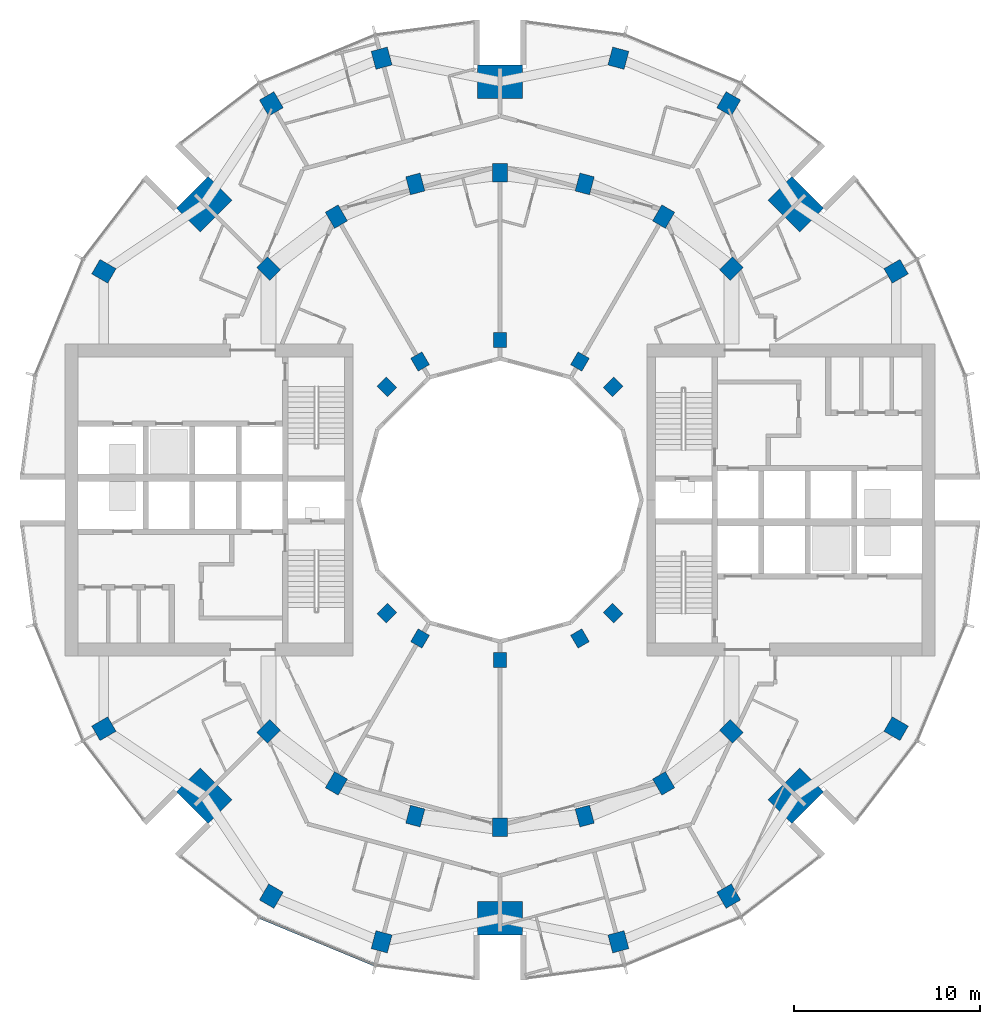
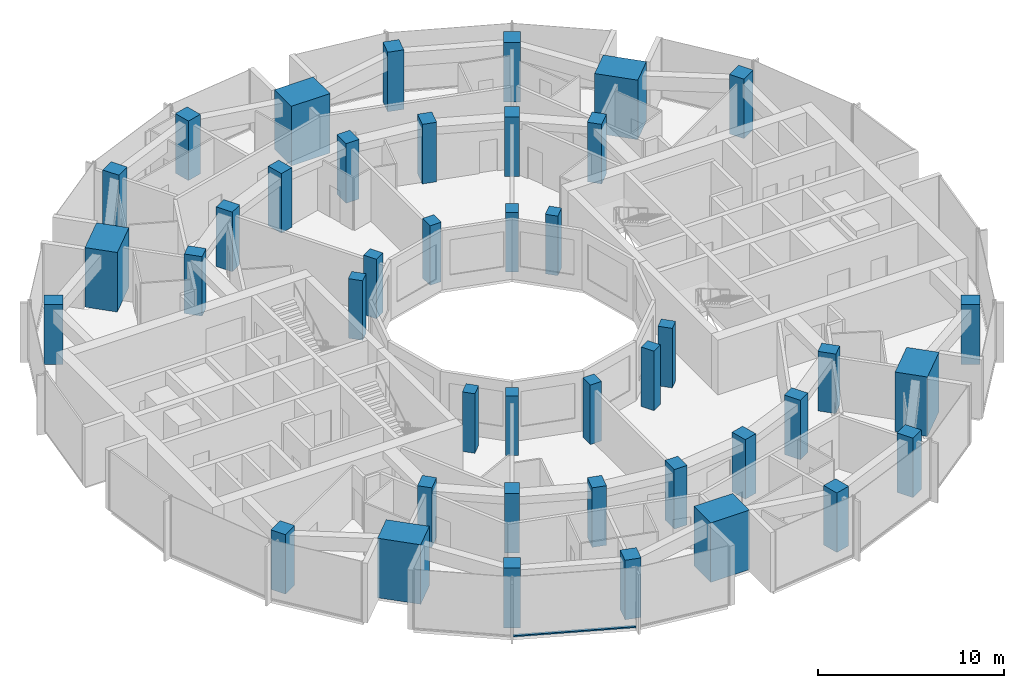
# One storey, part 1 of 15: 42 columns, 1 member, 1 element without a shape of its own.
"""IFC4 building model written with IfcOpenShell, lengths in metres."""

from ifc_helpers import new_model, si_unit, direction, frame, origin, origin_2d, place, context, subcontext, project, spatial, rectangle, extrude, material, layer, layer_set, material_profile, profile_set, type_object, element, aggregate, save


model = new_model("IFC4")

# Units and contexts
model_context = context("Model", 3, precision=1e-05, world=origin(), true_north=direction((0.0, 1.0)))
body_context = subcontext(model_context, "Body", "Model", "MODEL_VIEW")
ifc_project = project(units=[si_unit("LENGTHUNIT", "METRE"), si_unit("AREAUNIT", "SQUARE_METRE"), si_unit("VOLUMEUNIT", "CUBIC_METRE"), si_unit("PLANEANGLEUNIT", "RADIAN"), si_unit("MASSUNIT", "GRAM", prefix="KILO")], contexts=[model_context])

# Site, building, storey
site_placement = place(None, origin())
site = spatial("IfcSite", under=ifc_project, at=site_placement, CompositionType="ELEMENT")
building_placement = place(site_placement, origin())
building = spatial("IfcBuilding", under=site, at=building_placement, Name="Torre Brocal", CompositionType="ELEMENT")
storey_placement = place(building_placement, frame((0.0, 0.0, 134.10009765625)))
storey = spatial("IfcBuildingStorey", under=building, at=storey_placement, Name="L31", CompositionType="ELEMENT", Elevation=134.10009765625)

# Columns
ifc_material_1 = material(Name="Concrete C70", Category="concrete")
ifc_material_profile_1 = material_profile(ifc_material_1, rectangle(XDim=1.0, YDim=0.800048828125, at=origin_2d()), Name="RC 1000X800")
ifc_profile_set_1 = profile_set([ifc_material_profile_1], Name="Concrete C70")
column_type_1 = type_object("IfcColumnType", Name="RC COLUMN 1000X800 C70", PredefinedType="COLUMN", material=ifc_profile_set_1)
for number, where, z_axis, x_axis, name in (
    (1, (92.445068359375, 87.445068359375, 0.0), (0.0, 0.0, 1.0), (0.707106781187, 0.707106781187, 0.0), "Column C-M03"),
    (2, (88.800048828125, 90.241943359375, 0.0), (0.0, 0.0, 1.0), (0.5, 0.866025403784, 0.0), "Column C-M04"),
    (3, (84.55517578125, 92.000244140625, 0.0), (0.0, 0.0, 1.0), (0.258819045103, 0.965925826289, 0.0), "Column C-M05"),
    (4, (80.0, 92.60009765625, 0.0), (0.0, 0.0, 1.0), (0.0, 1.0, 0.0), "Column C-M06"),
    (5, (75.44482421875, 92.000244140625, 0.0), (0.0, 0.0, 1.0), (-0.258819045103, 0.965925826289, 0.0), "Column C-M07"),
    (6, (71.199951171875, 90.241943359375, 0.0), (0.0, 0.0, 1.0), (-0.5, 0.866025403784, 0.0), "Column C-M08"),
    (7, (67.554931640625, 87.445068359375, 0.0), (0.0, 0.0, 1.0), (-0.707106781187, 0.707106781187, 0.0), "Column C-M09"),
    (8, (67.554931640625, 62.554931640625, 0.0), (0.0, 0.0, 1.0), (-0.707106781187, -0.707106781187, 0.0), "Column C-M15"),
    (9, (71.199951171875, 59.758056640625, 0.0), (0.0, 0.0, 1.0), (-0.5, -0.866025403784, 0.0), "Column C-M16"),
    (10, (75.44482421875, 57.999755859375, 0.0), (0.0, 0.0, 1.0), (-0.258819045103, -0.965925826289, 0.0), "Column C-M17"),
    (11, (80.0, 57.39990234375, 0.0), (0.0, 0.0, 1.0), (0.0, -1.0, 0.0), "Column C-M18"),
    (12, (84.55517578125, 57.999755859375, 0.0), (0.0, 0.0, 1.0), (0.258819045103, -0.965925826289, 0.0), "Column C-M19"),
    (13, (88.800048828125, 59.758056640625, 0.0), (0.0, 0.0, 1.0), (0.5, -0.866025403784, 0.0), "Column C-M20"),
    (14, (92.445068359375, 62.554931640625, 0.0), (0.0, 0.0, 1.0), (0.707106781187, -0.707106781187, 0.0), "Column C-M21"),
):
    element("IfcColumn", number, at=place(storey_placement, frame(where, z_axis=z_axis, x_axis=x_axis)), inside=storey, type_object=column_type_1, Name=name, PredefinedType="COLUMN", context=body_context, shape_type="SweptSolid", body=[
        extrude(rectangle(XDim=1.0, YDim=0.800048828125, at=origin_2d()), origin(), (0.0, 0.0, 1.0), 3.89990234375),
    ])
ifc_material_2 = material(Name="Concrete C70", Category="concrete")
ifc_material_profile_2 = material_profile(ifc_material_2, rectangle(XDim=1.0, YDim=0.89990234375, at=origin_2d()), Name="RC 1000X900")
ifc_profile_set_2 = profile_set([ifc_material_profile_2], Name="Concrete C70")
column_type_2 = type_object("IfcColumnType", Name="RC COLUMN 1000X900 C70", PredefinedType="COLUMN", material=ifc_profile_set_2)
for number, where, z_axis, x_axis, name in (
    (15, (101.30419921875, 87.300048828125, 0.0), (0.0, 0.0, 1.0), (0.866025403784, 0.5, 0.0), "Column C-O02"),
    (16, (92.300048828125, 96.30419921875, 0.0), (0.0, 0.0, 1.0), (0.5, 0.866025403784, 0.0), "Column C-O04"),
    (17, (86.366943359375, 98.76171875, 0.0), (0.0, 0.0, 1.0), (0.258819045103, 0.965925826289, 0.0), "Column C-O05"),
    (18, (73.633056640625, 98.76171875, 0.0), (0.0, 0.0, 1.0), (-0.258819045103, 0.965925826289, 0.0), "Column C-O07"),
    (19, (67.699951171875, 96.30419921875, 0.0), (0.0, 0.0, 1.0), (-0.5, 0.866025403784, 0.0), "Column C-O08"),
    (20, (58.69580078125, 87.300048828125, 0.0), (0.0, 0.0, 1.0), (-0.866025403784, 0.5, 0.0), "Column C-O10"),
    (21, (58.69580078125, 62.699951171875, 0.0), (0.0, 0.0, 1.0), (-0.866025403784, -0.5, 0.0), "Column C-O14"),
    (22, (67.699951171875, 53.69580078125, 0.0), (0.0, 0.0, 1.0), (-0.5, -0.866025403784, 0.0), "Column C-O16"),
    (23, (73.633056640625, 51.23828125, 0.0), (0.0, 0.0, 1.0), (-0.258819045103, -0.965925826289, 0.0), "Column C-O17"),
    (24, (86.366943359375, 51.23828125, 0.0), (0.0, 0.0, 1.0), (0.258819045103, -0.965925826289, 0.0), "Column C-O19"),
    (25, (92.300048828125, 53.69580078125, 0.0), (0.0, 0.0, 1.0), (0.5, -0.866025403784, 0.0), "Column C-O20"),
    (26, (101.30419921875, 62.699951171875, 0.0), (0.0, 0.0, 1.0), (0.866025403784, -0.5, 0.0), "Column C-O22"),
):
    element("IfcColumn", number, at=place(storey_placement, frame(where, z_axis=z_axis, x_axis=x_axis)), inside=storey, type_object=column_type_2, Name=name, PredefinedType="COLUMN", context=body_context, shape_type="SweptSolid", body=[
        extrude(rectangle(XDim=1.0, YDim=0.89990234375, at=origin_2d()), origin(), (0.0, 0.0, 1.0), 3.89990234375),
    ])
ifc_material_3 = material(Name="Concrete C70", Category="concrete")
ifc_material_profile_3 = material_profile(ifc_material_3, rectangle(XDim=1.800048828125, YDim=2.39990234375, at=origin_2d()), Name="RC 1800X2400")
ifc_profile_set_3 = profile_set([ifc_material_profile_3], Name="Concrete C70")
column_type_3 = type_object("IfcColumnType", Name="RC COLUMN 1800X2400 C70", PredefinedType="COLUMN", material=ifc_profile_set_3)
for number, where, z_axis, x_axis, name in (
    (27, (95.909912109375, 90.909912109375, 0.0), (0.0, 0.0, 1.0), (0.707106781187, 0.707106781187, 0.0), "Column MC-1"),
    (28, (80.0, 97.5, 0.0), (0.0, 0.0, 1.0), (0.0, 1.0, 0.0), "Column MC-2"),
    (29, (64.090087890625, 90.909912109375, 0.0), (0.0, 0.0, 1.0), (-0.707106781187, 0.707106781187, 0.0), "Column MC-3"),
    (30, (64.090087890625, 59.090087890625, 0.0), (0.0, 0.0, 1.0), (-0.707106781187, -0.707106781187, 0.0), "Column MC-5"),
    (31, (80.0, 52.5, 0.0), (0.0, 0.0, 1.0), (0.0, -1.0, 0.0), "Column MC-6"),
    (32, (95.909912109375, 59.090087890625, 0.0), (0.0, 0.0, 1.0), (0.707106781187, -0.707106781187, 0.0), "Column MC-7"),
):
    element("IfcColumn", number, at=place(storey_placement, frame(where, z_axis=z_axis, x_axis=x_axis)), inside=storey, type_object=column_type_3, Name=name, PredefinedType="COLUMN", context=body_context, shape_type="SweptSolid", body=[
        extrude(rectangle(XDim=1.800048828125, YDim=2.39990234375, at=origin_2d()), origin(), (0.0, 0.0, 1.0), 3.89990234375),
    ])
ifc_material_4 = material(Name="Concrete C70", Category="concrete")
ifc_material_profile_4 = material_profile(ifc_material_4, rectangle(XDim=0.800048828125, YDim=0.699951171875, at=origin_2d()), Name="RC 800X700")
ifc_profile_set_4 = profile_set([ifc_material_profile_4], Name="Concrete C70")
column_type_4 = type_object("IfcColumnType", Name="RC COLUMN 800X700 C70", PredefinedType="COLUMN", material=ifc_profile_set_4)
for number, where, z_axis, x_axis, name in (
    (33, (86.0810546875, 81.0810546875, 0.0), (0.0, 0.0, 1.0), (0.707106781187, 0.707106781187, 0.0), "Column C-I03"),
    (34, (84.300048828125, 82.44775390625, 0.0), (0.0, 0.0, 1.0), (0.5, 0.866025403784, 0.0), "Column C-I04"),
    (35, (80.0, 83.60009765625, 0.0), (0.0, 0.0, 1.0), (0.0, 1.0, 0.0), "Column C-I06"),
    (36, (75.699951171875, 82.44775390625, 0.0), (0.0, 0.0, 1.0), (-0.5, 0.866025403784, 0.0), "Column C-I08"),
    (37, (73.9189453125, 81.0810546875, 0.0), (0.0, 0.0, 1.0), (-0.707106781187, 0.707106781187, 0.0), "Column C-I09"),
    (38, (73.9189453125, 68.9189453125, 0.0), (0.0, 0.0, 1.0), (-0.707106781187, -0.707106781187, 0.0), "Column C-I15"),
    (39, (75.699951171875, 67.55224609375, 0.0), (0.0, 0.0, 1.0), (-0.5, -0.866025403784, 0.0), "Column C-I16"),
    (40, (80.0, 66.39990234375, 0.0), (0.0, 0.0, 1.0), (0.0, -1.0, 0.0), "Column C-I18"),
    (41, (84.300048828125, 67.55224609375, 0.0), (0.0, 0.0, 1.0), (0.5, -0.866025403784, 0.0), "Column C-I20"),
    (42, (86.0810546875, 68.9189453125, 0.0), (0.0, 0.0, 1.0), (0.707106781187, -0.707106781187, 0.0), "Column C-I21"),
):
    element("IfcColumn", number, at=place(storey_placement, frame(where, z_axis=z_axis, x_axis=x_axis)), inside=storey, type_object=column_type_4, Name=name, PredefinedType="COLUMN", context=body_context, shape_type="SweptSolid", body=[
        extrude(rectangle(XDim=0.800048828125, YDim=0.699951171875, at=origin_2d()), origin(), (0.0, 0.0, 1.0), 3.89990234375),
    ])

# Curtain wall, member
ifc_material_5 = material(Name="Aluminium and glass", Category="aluminium")
ifc_layer = layer(ifc_material_5, 0.199951171875)
ifc_layer_set = layer_set([ifc_layer], Name="Aluminium and glass")
curtain_wall_type = type_object("IfcCurtainWallType", Name="CW-1 CURTAIN WALL 3900 HIGH", PredefinedType="NOTDEFINED", material=ifc_layer_set)
curtain_wall_placement = place(storey_placement, origin())
curtain_wall = element("IfcCurtainWall", 43, at=curtain_wall_placement, inside=storey, type_object=curtain_wall_type, Name="CW-1 RUN 17", PredefinedType="NOTDEFINED")
ifc_material_6 = material(Name="Aluminium, dark anodised", Category="aluminium")
ifc_material_profile_5 = material_profile(ifc_material_6, rectangle(XDim=0.159912109375, YDim=0.080078125, at=origin_2d()), Name="CW-1 TRANSOM 160X80")
ifc_profile_set_5 = profile_set([ifc_material_profile_5], Name="Aluminium, dark anodised")
member_type = type_object("IfcMemberType", Name="CW-1 TRANSOM 160X80", PredefinedType="USERDEFINED", material=ifc_profile_set_5)
member_placement = place(storey_placement, frame((67.10595703125, 52.547607421875, 0.039794921875), z_axis=(0.923887344364, -0.38266457234, 0.0), x_axis=(0.38266457234, 0.923887344364, 0.0)))
member = element("IfcMember", 44, at=member_placement, type_object=member_type, Name="CW1-3 transom 1.1", ObjectType="TRANSOM", PredefinedType="USERDEFINED", context=body_context, shape_type="SweptSolid", body=[
    extrude(rectangle(XDim=0.159912109375, YDim=0.080078125, at=origin_2d()), origin(), (0.0, 0.0, 1.0), 6.640869140625),
])
aggregate(curtain_wall, [member])

save(model, "model.ifc")
